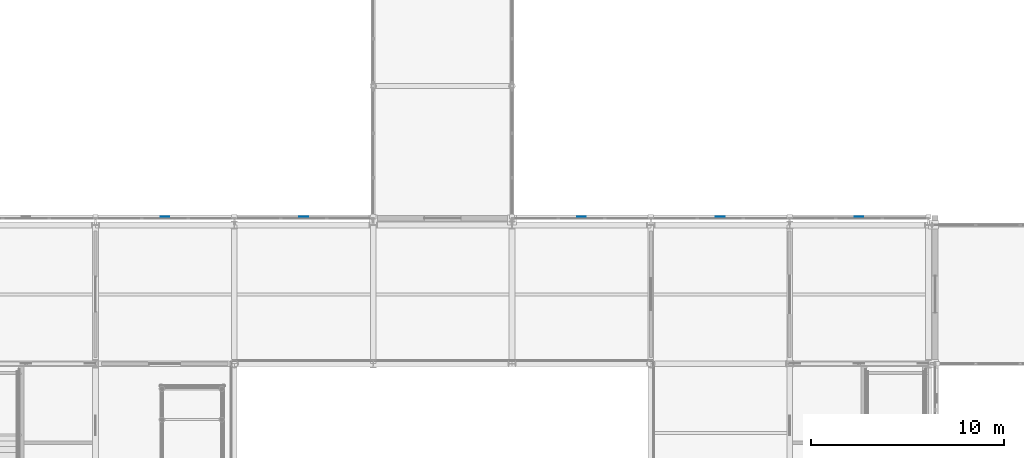
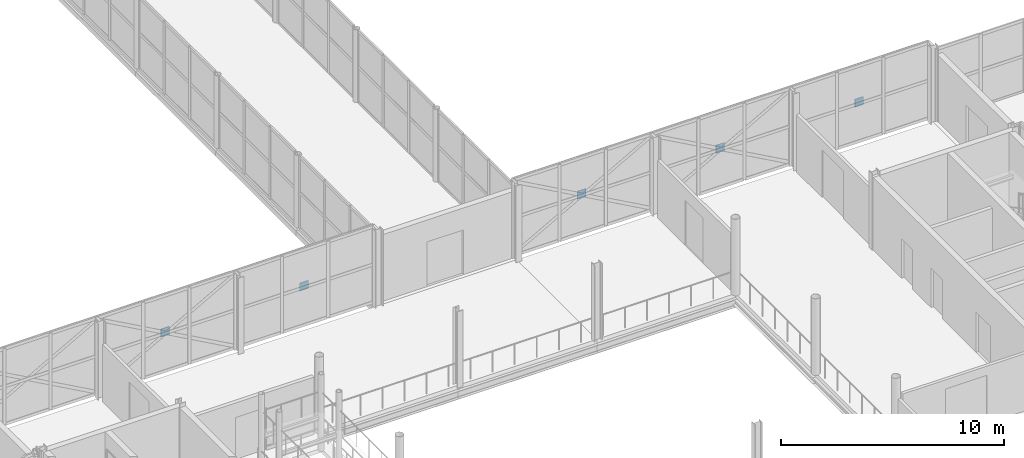
# One storey, part 104 of 146: 5 plates.
"""IFC4 building model written with IfcOpenShell, lengths in metres."""

from ifc_helpers import new_model, si_unit, direction, frame, origin, origin_2d, place, context, subcontext, project, spatial, rectangle, extrude, material, layer, layer_set, type_object, element, save


model = new_model("IFC4")

# Units and contexts
model_context = context("Model", 3, precision=1e-05, world=origin(), true_north=direction((0.0, 1.0)))
body_context = subcontext(model_context, "Body", "Model", "MODEL_VIEW")
ifc_project = project(units=[si_unit("LENGTHUNIT", "METRE"), si_unit("AREAUNIT", "SQUARE_METRE"), si_unit("VOLUMEUNIT", "CUBIC_METRE"), si_unit("PLANEANGLEUNIT", "RADIAN"), si_unit("MASSUNIT", "GRAM", prefix="KILO")], contexts=[model_context])

# Site, building, storey
site_placement = place(None, origin())
site = spatial("IfcSite", under=ifc_project, at=site_placement, CompositionType="ELEMENT")
building_placement = place(site_placement, origin())
building = spatial("IfcBuilding", under=site, at=building_placement, Name="Zlatovets Crest Museum", CompositionType="ELEMENT")
storey_placement = place(building_placement, frame((0.0, 0.0, 4.5)))
storey = spatial("IfcBuildingStorey", under=building, at=storey_placement, Name="L01", CompositionType="ELEMENT", Elevation=4.5)

# Plates
ifc_material = material(Name="Structural steel S355J2", Category="steel")
ifc_layer = layer(ifc_material, 0.02001953125)
ifc_layer_set = layer_set([ifc_layer], Name="Structural steel S355J2")
plate_type = type_object("IfcPlateType", Name="Gusset_GP-04", PredefinedType="USERDEFINED", material=ifc_layer_set)
for number, where, z_axis, x_axis, name in (
    (1, (104.39990234375, 29.219970703125, 1.875), (0.0, 0.0, 1.0), (1.0, 0.0, 0.0), "X-Brace Crossing Node Gusset Plate GP-04"),
    (2, (97.199951171875, 29.219970703125, 1.875), (0.0, 0.0, 1.0), (1.0, 0.0, 0.0), "X-Brace Crossing Node Gusset Plate GP-04"),
    (3, (90.0, 29.219970703125, 1.875), (0.0, 0.0, 1.0), (1.0, 0.0, 0.0), "X-Brace Crossing Node Gusset Plate GP-04"),
    (4, (75.60009765625, 29.219970703125, 1.875), (0.0, 0.0, 1.0), (1.0, 0.0, 0.0), "X-Brace Crossing Node Gusset Plate GP-04"),
    (5, (68.39990234375, 29.219970703125, 1.875), (0.0, 0.0, 1.0), (1.0, 0.0, 0.0), "X-Brace Crossing Node Gusset Plate GP-04"),
):
    element("IfcPlate", number, at=place(storey_placement, frame(where, z_axis=z_axis, x_axis=x_axis)), inside=storey, type_object=plate_type, Name=name, ObjectType="GUSSET", PredefinedType="USERDEFINED", context=body_context, shape_type="SweptSolid", body=[
        extrude(rectangle(XDim=0.449951171875, YDim=0.02001953125, at=origin_2d()), origin(), (0.0, 0.0, 1.0), 0.449951171875),
    ])

save(model, "model.ifc")
